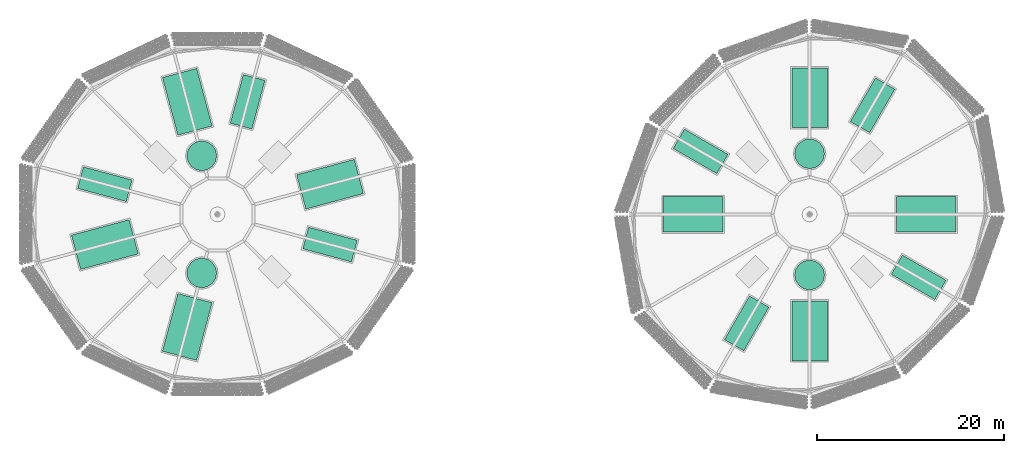
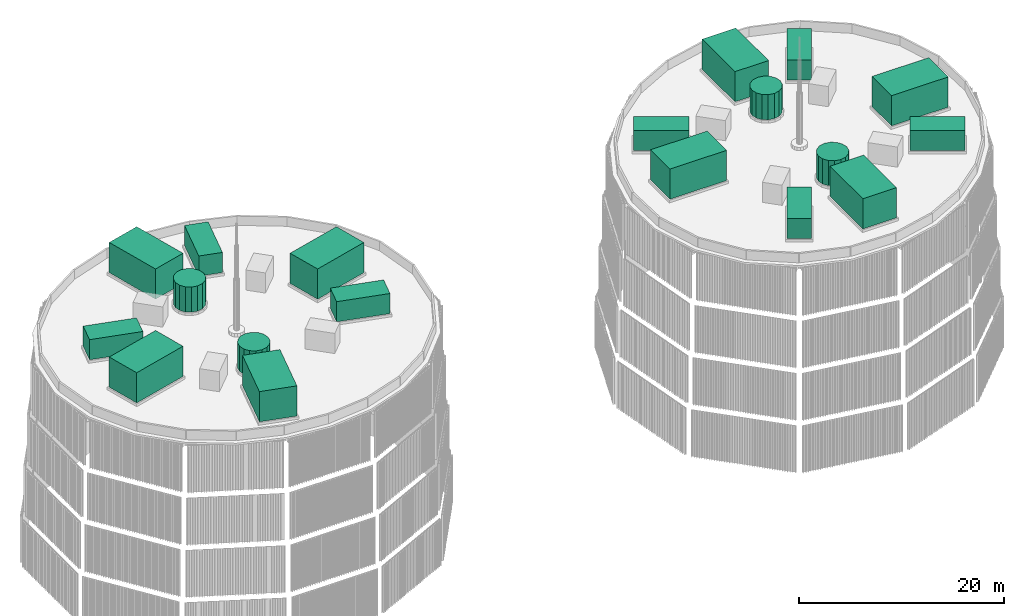
# One storey, part 23 of 24: 8 cooling towers, 7 unitary equipment elements, 4 tanks.
"""IFC4 building model written with IfcOpenShell, lengths in metres."""

from ifc_helpers import new_model, si_unit, direction, frame, origin, place, context, subcontext, project, spatial, polyline, outline, extrude, material, type_object, element, save


model = new_model("IFC4")

# Units and contexts
model_context = context("Model", 3, precision=1e-05, world=origin(), true_north=direction((0.0, 1.0)))
body_context = subcontext(model_context, "Body", "Model", "MODEL_VIEW")
ifc_project = project(units=[si_unit("LENGTHUNIT", "METRE"), si_unit("AREAUNIT", "SQUARE_METRE"), si_unit("VOLUMEUNIT", "CUBIC_METRE"), si_unit("PLANEANGLEUNIT", "RADIAN"), si_unit("MASSUNIT", "GRAM", prefix="KILO")], contexts=[model_context])

# Site, building, storey
site_placement = place(None, origin())
site = spatial("IfcSite", under=ifc_project, at=site_placement, CompositionType="ELEMENT")
building_placement = place(site_placement, origin())
building = spatial("IfcBuilding", under=site, at=building_placement, Name="Rimbun Link Towers", CompositionType="ELEMENT")
storey_placement = place(building_placement, frame((0.0, 0.0, 294.89990234375)))
storey = spatial("IfcBuildingStorey", under=building, at=storey_placement, Name="Roof cap", CompositionType="ELEMENT", Elevation=294.89990234375)

# Unitary equipment
ifc_material_1 = material(Name="Aluminium 6063-T6", Category="aluminium")
unitary_equipment_type = type_object("IfcUnitaryEquipmentType", Name="AIR HANDLING UNIT 5400X2400X2400", PredefinedType="AIRHANDLER", material=ifc_material_1)
unitary_equipment_1_placement = place(storey_placement, frame((0.0, 0.0, 1.0)))
element("IfcUnitaryEquipment", 1, at=unitary_equipment_1_placement, inside=storey, type_object=unitary_equipment_type, Name="ROOF PLANT air handling unit", PredefinedType="AIRHANDLER", context=body_context, shape_type="SweptSolid", body=[
    extrude(outline(polyline([(-28.054443359375, 9.155517578125), (-26.65673828125, 14.37158203125), (-28.97509765625, 14.99267578125), (-30.372802734375, 9.776611328125), (-28.054443359375, 9.155517578125)])), origin(), (0.0, 0.0, 1.0), 2.400146484375),
])
unitary_equipment_2_placement = place(storey_placement, frame((0.0, 0.0, 1.0)))
element("IfcUnitaryEquipment", 2, at=unitary_equipment_2_placement, inside=storey, type_object=unitary_equipment_type, Name="ROOF PLANT air handling unit", PredefinedType="AIRHANDLER", context=body_context, shape_type="SweptSolid", body=[
    extrude(outline(polyline([(-40.905517578125, 3.695556640625), (-46.12158203125, 5.09326171875), (-46.74267578125, 2.77490234375), (-41.526611328125, 1.37744140625), (-40.905517578125, 3.695556640625)])), origin(), (0.0, 0.0, 1.0), 2.400146484375),
])
unitary_equipment_3_placement = place(storey_placement, frame((0.0, 0.0, 1.0)))
element("IfcUnitaryEquipment", 3, at=unitary_equipment_3_placement, inside=storey, type_object=unitary_equipment_type, Name="ROOF PLANT air handling unit", PredefinedType="AIRHANDLER", context=body_context, shape_type="SweptSolid", body=[
    extrude(outline(polyline([(-22.594482421875, -3.695556640625), (-17.37841796875, -5.09326171875), (-16.75732421875, -2.77490234375), (-21.973388671875, -1.37744140625), (-22.594482421875, -3.695556640625)])), origin(), (0.0, 0.0, 1.0), 2.400146484375),
])
unitary_equipment_4_placement = place(storey_placement, frame((0.0, 0.0, 1.0)))
element("IfcUnitaryEquipment", 4, at=unitary_equipment_4_placement, inside=storey, type_object=unitary_equipment_type, Name="ROOF PLANT air handling unit", PredefinedType="AIRHANDLER", context=body_context, shape_type="SweptSolid", body=[
    extrude(outline(polyline([(38.189208984375, 8.753173828125), (40.88916015625, 13.4296875), (38.810791015625, 14.629638671875), (36.11083984375, 9.953125), (38.189208984375, 8.753173828125)])), origin(), (0.0, 0.0, 1.0), 2.400146484375),
])
unitary_equipment_5_placement = place(storey_placement, frame((0.0, 0.0, 1.0)))
element("IfcUnitaryEquipment", 5, at=unitary_equipment_5_placement, inside=storey, type_object=unitary_equipment_type, Name="ROOF PLANT air handling unit", PredefinedType="AIRHANDLER", context=body_context, shape_type="SweptSolid", body=[
    extrude(outline(polyline([(22.996826171875, 6.439208984375), (18.3203125, 9.13916015625), (17.120361328125, 7.060791015625), (21.796875, 4.36083984375), (22.996826171875, 6.439208984375)])), origin(), (0.0, 0.0, 1.0), 2.400146484375),
])
unitary_equipment_6_placement = place(storey_placement, frame((0.0, 0.0, 1.0)))
element("IfcUnitaryEquipment", 6, at=unitary_equipment_6_placement, inside=storey, type_object=unitary_equipment_type, Name="ROOF PLANT air handling unit", PredefinedType="AIRHANDLER", context=body_context, shape_type="SweptSolid", body=[
    extrude(outline(polyline([(25.310791015625, -8.753173828125), (22.61083984375, -13.4296875), (24.689208984375, -14.629638671875), (27.38916015625, -9.953125), (25.310791015625, -8.753173828125)])), origin(), (0.0, 0.0, 1.0), 2.400146484375),
])
unitary_equipment_7_placement = place(storey_placement, frame((0.0, 0.0, 1.0)))
element("IfcUnitaryEquipment", 7, at=unitary_equipment_7_placement, inside=storey, type_object=unitary_equipment_type, Name="ROOF PLANT air handling unit", PredefinedType="AIRHANDLER", context=body_context, shape_type="SweptSolid", body=[
    extrude(outline(polyline([(40.503173828125, -6.439208984375), (45.1796875, -9.13916015625), (46.379638671875, -7.060791015625), (41.703125, -4.36083984375), (40.503173828125, -6.439208984375)])), origin(), (0.0, 0.0, 1.0), 2.400146484375),
])

# Cooling towers
ifc_material_2 = material(Name="Enamelled galvanised steel casing", Category="steel")
cooling_tower_type = type_object("IfcCoolingTowerType", Name="COOLING TOWER 6400X3800X3600", PredefinedType="MECHANICALFORCEDDRAFT", material=ifc_material_2)
cooling_tower_1_placement = place(storey_placement, frame((0.0, 0.0, 1.0)))
element("IfcCoolingTower", 8, at=cooling_tower_1_placement, inside=storey, type_object=cooling_tower_type, Name="ROOF PLANT cooling tower", PredefinedType="MECHANICALFORCEDDRAFT", context=body_context, shape_type="SweptSolid", body=[
    extrude(outline(polyline([(-32.32177734375, 9.474853515625), (-33.978271484375, 15.65673828125), (-37.648681640625, 14.67333984375), (-35.9921875, 8.491455078125), (-32.32177734375, 9.474853515625)])), origin(), (0.0, 0.0, 1.0), 3.60009765625),
])
cooling_tower_2_placement = place(storey_placement, frame((0.0, 0.0, 1.0)))
element("IfcCoolingTower", 9, at=cooling_tower_2_placement, inside=storey, type_object=cooling_tower_type, Name="ROOF PLANT cooling tower", PredefinedType="MECHANICALFORCEDDRAFT", context=body_context, shape_type="SweptSolid", body=[
    extrude(outline(polyline([(-41.224853515625, -0.57177734375), (-47.40673828125, -2.228271484375), (-46.42333984375, -5.898681640625), (-40.241455078125, -4.2421875), (-41.224853515625, -0.57177734375)])), origin(), (0.0, 0.0, 1.0), 3.60009765625),
])
cooling_tower_3_placement = place(storey_placement, frame((0.0, 0.0, 1.0)))
element("IfcCoolingTower", 10, at=cooling_tower_3_placement, inside=storey, type_object=cooling_tower_type, Name="ROOF PLANT cooling tower", PredefinedType="MECHANICALFORCEDDRAFT", context=body_context, shape_type="SweptSolid", body=[
    extrude(outline(polyline([(-35.9921875, -8.491455078125), (-37.648681640625, -14.67333984375), (-33.978271484375, -15.65673828125), (-32.32177734375, -9.474853515625), (-35.9921875, -8.491455078125)])), origin(), (0.0, 0.0, 1.0), 3.60009765625),
])
cooling_tower_4_placement = place(storey_placement, frame((0.0, 0.0, 1.0)))
element("IfcCoolingTower", 11, at=cooling_tower_4_placement, inside=storey, type_object=cooling_tower_type, Name="ROOF PLANT cooling tower", PredefinedType="MECHANICALFORCEDDRAFT", context=body_context, shape_type="SweptSolid", body=[
    extrude(outline(polyline([(-22.275146484375, 0.57177734375), (-16.09326171875, 2.228271484375), (-17.07666015625, 5.898681640625), (-23.258544921875, 4.2421875), (-22.275146484375, 0.57177734375)])), origin(), (0.0, 0.0, 1.0), 3.60009765625),
])
cooling_tower_5_placement = place(storey_placement, frame((0.0, 0.0, 1.0)))
element("IfcCoolingTower", 12, at=cooling_tower_5_placement, inside=storey, type_object=cooling_tower_type, Name="ROOF PLANT cooling tower", PredefinedType="MECHANICALFORCEDDRAFT", context=body_context, shape_type="SweptSolid", body=[
    extrude(outline(polyline([(33.64990234375, 9.300048828125), (33.64990234375, 15.699951171875), (29.85009765625, 15.699951171875), (29.85009765625, 9.300048828125), (33.64990234375, 9.300048828125)])), origin(), (0.0, 0.0, 1.0), 3.60009765625),
])
cooling_tower_6_placement = place(storey_placement, frame((0.0, 0.0, 1.0)))
element("IfcCoolingTower", 13, at=cooling_tower_6_placement, inside=storey, type_object=cooling_tower_type, Name="ROOF PLANT cooling tower", PredefinedType="MECHANICALFORCEDDRAFT", context=body_context, shape_type="SweptSolid", body=[
    extrude(outline(polyline([(22.449951171875, 1.89990234375), (16.050048828125, 1.89990234375), (16.050048828125, -1.89990234375), (22.449951171875, -1.89990234375), (22.449951171875, 1.89990234375)])), origin(), (0.0, 0.0, 1.0), 3.60009765625),
])
cooling_tower_7_placement = place(storey_placement, frame((0.0, 0.0, 1.0)))
element("IfcCoolingTower", 14, at=cooling_tower_7_placement, inside=storey, type_object=cooling_tower_type, Name="ROOF PLANT cooling tower", PredefinedType="MECHANICALFORCEDDRAFT", context=body_context, shape_type="SweptSolid", body=[
    extrude(outline(polyline([(29.85009765625, -9.300048828125), (29.85009765625, -15.699951171875), (33.64990234375, -15.699951171875), (33.64990234375, -9.300048828125), (29.85009765625, -9.300048828125)])), origin(), (0.0, 0.0, 1.0), 3.60009765625),
])
cooling_tower_8_placement = place(storey_placement, frame((0.0, 0.0, 1.0)))
element("IfcCoolingTower", 15, at=cooling_tower_8_placement, inside=storey, type_object=cooling_tower_type, Name="ROOF PLANT cooling tower", PredefinedType="MECHANICALFORCEDDRAFT", context=body_context, shape_type="SweptSolid", body=[
    extrude(outline(polyline([(41.050048828125, -1.89990234375), (47.449951171875, -1.89990234375), (47.449951171875, 1.89990234375), (41.050048828125, 1.89990234375), (41.050048828125, -1.89990234375)])), origin(), (0.0, 0.0, 1.0), 3.60009765625),
])

# Tanks
ifc_material_3 = material(Name="Stainless steel grade 316", Category="steel")
tank_type = type_object("IfcTankType", Name="WATER TANK cylindrical 3200X3000", PredefinedType="STORAGE", material=ifc_material_3)
tank_1_placement = place(storey_placement, frame((0.0, 0.0, 1.0)))
element("IfcTank", 16, at=tank_1_placement, inside=storey, type_object=tank_type, Name="ROOF PLANT water tank", PredefinedType="STORAGE", context=body_context, shape_type="SweptSolid", body=[
    extrude(outline(polyline([(-31.832275390625, 6.278564453125), (-31.9541015625, 6.890869140625), (-32.30078125, 7.409912109375), (-32.820068359375, 7.756591796875), (-33.432373046875, 7.87841796875), (-34.044677734375, 7.756591796875), (-34.563720703125, 7.409912109375), (-34.910400390625, 6.890869140625), (-35.0322265625, 6.278564453125), (-34.910400390625, 5.666259765625), (-34.563720703125, 5.147216796875), (-34.044677734375, 4.80029296875), (-33.432373046875, 4.678466796875), (-32.820068359375, 4.80029296875), (-32.30078125, 5.147216796875), (-31.9541015625, 5.666259765625), (-31.832275390625, 6.278564453125)])), origin(), (0.0, 0.0, 1.0), 3.0),
])
tank_2_placement = place(storey_placement, frame((0.0, 0.0, 1.0)))
element("IfcTank", 17, at=tank_2_placement, inside=storey, type_object=tank_type, Name="ROOF PLANT water tank", PredefinedType="STORAGE", context=body_context, shape_type="SweptSolid", body=[
    extrude(outline(polyline([(-31.832275390625, -6.278564453125), (-31.9541015625, -5.666259765625), (-32.30078125, -5.147216796875), (-32.820068359375, -4.80029296875), (-33.432373046875, -4.678466796875), (-34.044677734375, -4.80029296875), (-34.563720703125, -5.147216796875), (-34.910400390625, -5.666259765625), (-35.0322265625, -6.278564453125), (-34.910400390625, -6.890869140625), (-34.563720703125, -7.409912109375), (-34.044677734375, -7.756591796875), (-33.432373046875, -7.87841796875), (-32.820068359375, -7.756591796875), (-32.30078125, -7.409912109375), (-31.9541015625, -6.890869140625), (-31.832275390625, -6.278564453125)])), origin(), (0.0, 0.0, 1.0), 3.0),
])
tank_3_placement = place(storey_placement, frame((0.0, 0.0, 1.0)))
element("IfcTank", 18, at=tank_3_placement, inside=storey, type_object=tank_type, Name="ROOF PLANT water tank", PredefinedType="STORAGE", context=body_context, shape_type="SweptSolid", body=[
    extrude(outline(polyline([(33.35009765625, 6.5), (33.228271484375, 7.1123046875), (32.88134765625, 7.63134765625), (32.3623046875, 7.978271484375), (31.75, 8.10009765625), (31.1376953125, 7.978271484375), (30.61865234375, 7.63134765625), (30.271728515625, 7.1123046875), (30.14990234375, 6.5), (30.271728515625, 5.8876953125), (30.61865234375, 5.36865234375), (31.1376953125, 5.021728515625), (31.75, 4.89990234375), (32.3623046875, 5.021728515625), (32.88134765625, 5.36865234375), (33.228271484375, 5.8876953125), (33.35009765625, 6.5)])), origin(), (0.0, 0.0, 1.0), 3.0),
])
tank_4_placement = place(storey_placement, frame((0.0, 0.0, 1.0)))
element("IfcTank", 19, at=tank_4_placement, inside=storey, type_object=tank_type, Name="ROOF PLANT water tank", PredefinedType="STORAGE", context=body_context, shape_type="SweptSolid", body=[
    extrude(outline(polyline([(33.35009765625, -6.5), (33.228271484375, -5.8876953125), (32.88134765625, -5.36865234375), (32.3623046875, -5.021728515625), (31.75, -4.89990234375), (31.1376953125, -5.021728515625), (30.61865234375, -5.36865234375), (30.271728515625, -5.8876953125), (30.14990234375, -6.5), (30.271728515625, -7.1123046875), (30.61865234375, -7.63134765625), (31.1376953125, -7.978271484375), (31.75, -8.10009765625), (32.3623046875, -7.978271484375), (32.88134765625, -7.63134765625), (33.228271484375, -7.1123046875), (33.35009765625, -6.5)])), origin(), (0.0, 0.0, 1.0), 3.0),
])

save(model, "model.ifc")
